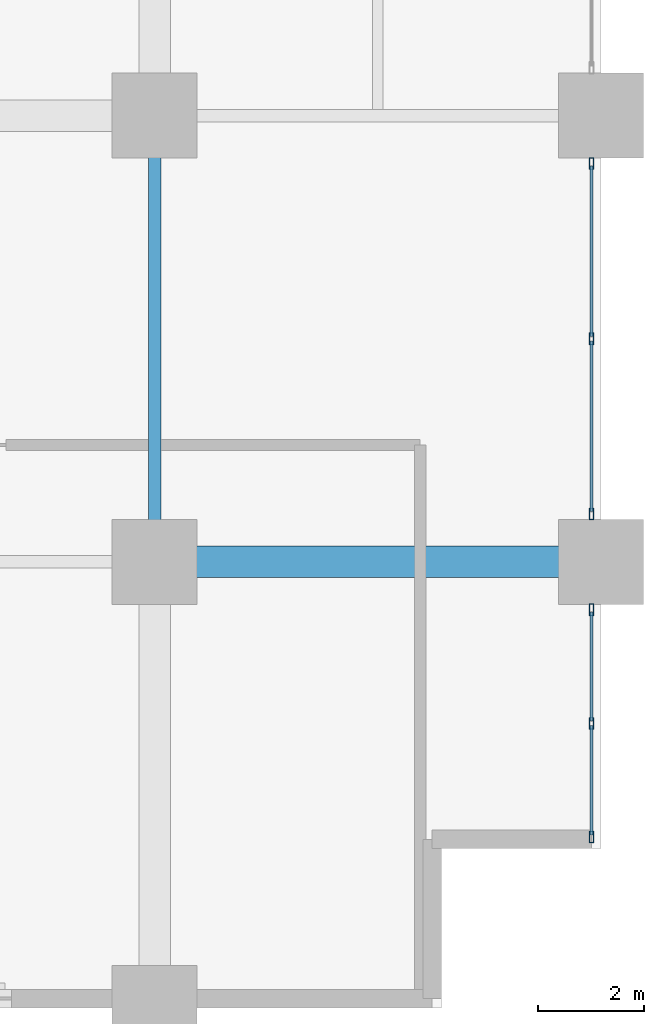
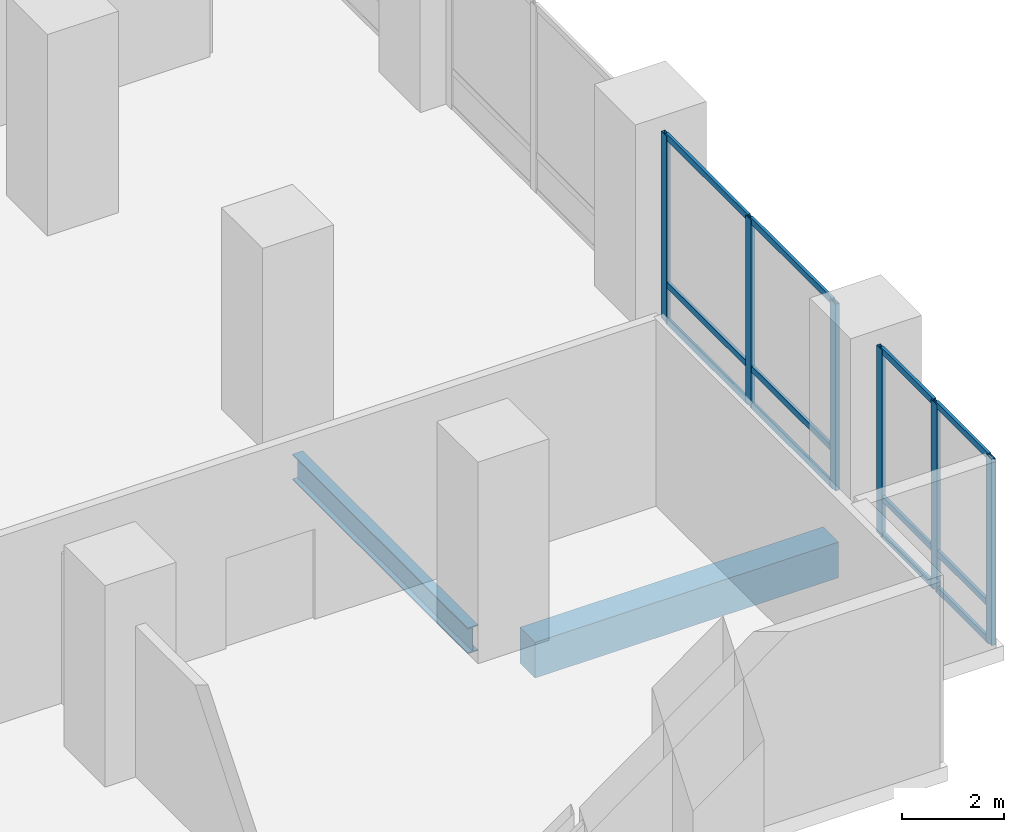
# One storey, part 3 of 22: 18 members, 2 beams, 2 elements without a shape of their own.
"""IFC4 building model written with IfcOpenShell, lengths in metres."""

from ifc_helpers import new_model, si_unit, direction, frame, origin, origin_2d, place, context, subcontext, project, spatial, rectangle, hollow_rectangle, i_section, extrude, material, layer, layer_set, material_profile, profile_set, type_object, element, aggregate, save


model = new_model("IFC4")

# Units and contexts
model_context = context("Model", 3, precision=1e-05, world=origin(), true_north=direction((0.0, 1.0)))
body_context = subcontext(model_context, "Body", "Model", "MODEL_VIEW")
ifc_project = project(units=[si_unit("LENGTHUNIT", "METRE"), si_unit("AREAUNIT", "SQUARE_METRE"), si_unit("VOLUMEUNIT", "CUBIC_METRE"), si_unit("PLANEANGLEUNIT", "RADIAN"), si_unit("MASSUNIT", "GRAM", prefix="KILO")], contexts=[model_context])

# Site, building, storey
site_placement = place(None, origin())
site = spatial("IfcSite", under=ifc_project, at=site_placement, CompositionType="ELEMENT")
building_placement = place(site_placement, origin())
building = spatial("IfcBuilding", under=site, at=building_placement, Name="Koriwani Terraces Tower", CompositionType="ELEMENT")
storey_placement = place(building_placement, frame((0.0, 0.0, 10.800048828125)))
storey = spatial("IfcBuildingStorey", under=building, at=storey_placement, Name="L02", CompositionType="ELEMENT", Elevation=10.800048828125)

# Beam
ifc_material_1 = material(Name="Concrete C60/75", Category="concrete")
ifc_material_profile_1 = material_profile(ifc_material_1, rectangle(XDim=0.60009765625, YDim=0.85009765625, at=origin_2d()), Name="Concrete C60/75", Category="LoadBearing")
ifc_profile_set_1 = profile_set([ifc_material_profile_1], Name="Concrete C60/75")
beam_type_1 = type_object("IfcBeamType", Name="BEAM_RC_GRID_600X850", PredefinedType="BEAM", material=ifc_profile_set_1)
beam_1_placement = place(storey_placement, frame((84.780029296875, 8.39990234375, -0.775146484375), z_axis=(1.0, 0.0, 0.0), x_axis=(0.0, 1.0, 0.0)))
element("IfcBeam", 1, at=beam_1_placement, inside=storey, type_object=beam_type_1, Name="L02 Grid Beam B (84.0-92.4m)", PredefinedType="BEAM", context=body_context, shape_type="SweptSolid", body=[
    extrude(rectangle(XDim=0.60009765625, YDim=0.85009765625, at=origin_2d()), origin(), (0.0, 0.0, 1.0), 6.840087890625),
])

# Curtain wall, members
ifc_material_2 = material(Name="Anodised Bronze Aluminium", Category="aluminium")
ifc_layer = layer(ifc_material_2, 0.199951171875, Name="Anodised Bronze Aluminium")
ifc_layer_set = layer_set([ifc_layer], Name="Anodised Bronze Aluminium")
curtain_wall_type = type_object("IfcCurtainWallType", Name="CW_PODIUM_GALLERIA", PredefinedType="NOTDEFINED", material=ifc_layer_set)
curtain_wall_1_placement = place(storey_placement, origin())
curtain_wall_1 = element("IfcCurtainWall", 2, at=curtain_wall_1_placement, inside=storey, type_object=curtain_wall_type, Name="L02 Unitised Curtain Wall (E_TIP) Bay 4", PredefinedType="NOTDEFINED")
ifc_material_profile_2 = material_profile(ifc_material_2, hollow_rectangle(XDim=0.0849609375, YDim=0.219970703125, WallThickness=0.008056640625, at=origin_2d()), Name="Anodised Bronze Aluminium", Category="LoadBearing")
ifc_profile_set_2 = profile_set([ifc_material_profile_2], Name="Anodised Bronze Aluminium")
member_type_1 = type_object("IfcMemberType", Name="CW_MULLION_220X85", PredefinedType="MULLION", material=ifc_profile_set_2)
member_1_placement = place(storey_placement, frame((92.22509765625, 15.8974609375, 0.0), z_axis=(0.0, 0.0, 1.0), x_axis=(1.0, 0.0, 0.0)))
member_1 = element("IfcMember", 3, at=member_1_placement, type_object=member_type_1, Name="CW-POD mullion 1", PredefinedType="MULLION", context=body_context, shape_type="SweptSolid", body=[
    extrude(hollow_rectangle(XDim=0.0849609375, YDim=0.219970703125, WallThickness=0.008056640625, at=origin_2d()), origin(), (0.0, 0.0, 1.0), 4.449951171875),
])
member_2_placement = place(storey_placement, frame((92.22509765625, 12.60009765625, 0.0), z_axis=(0.0, 0.0, 1.0), x_axis=(1.0, 0.0, 0.0)))
member_2 = element("IfcMember", 4, at=member_2_placement, type_object=member_type_1, Name="CW-POD mullion 2", PredefinedType="MULLION", context=body_context, shape_type="SweptSolid", body=[
    extrude(hollow_rectangle(XDim=0.0849609375, YDim=0.219970703125, WallThickness=0.008056640625, at=origin_2d()), origin(), (0.0, 0.0, 1.0), 4.449951171875),
])
member_3_placement = place(storey_placement, frame((92.22509765625, 9.302490234375, 0.0), z_axis=(0.0, 0.0, 1.0), x_axis=(1.0, 0.0, 0.0)))
member_3 = element("IfcMember", 5, at=member_3_placement, type_object=member_type_1, Name="CW-POD mullion 3", PredefinedType="MULLION", context=body_context, shape_type="SweptSolid", body=[
    extrude(hollow_rectangle(XDim=0.0849609375, YDim=0.219970703125, WallThickness=0.008056640625, at=origin_2d()), origin(), (0.0, 0.0, 1.0), 4.449951171875),
])

curtain_wall_2_placement = place(storey_placement, origin())
curtain_wall_2 = element("IfcCurtainWall", 6, at=curtain_wall_2_placement, inside=storey, type_object=curtain_wall_type, Name="L02 Unitised Curtain Wall (E_TIP) Bay 5", PredefinedType="NOTDEFINED")
member_4_placement = place(storey_placement, frame((92.22509765625, 7.49755859375, 0.0), z_axis=(0.0, 0.0, 1.0), x_axis=(1.0, 0.0, 0.0)))
member_4 = element("IfcMember", 7, at=member_4_placement, type_object=member_type_1, Name="CW-POD mullion 1", PredefinedType="MULLION", context=body_context, shape_type="SweptSolid", body=[
    extrude(hollow_rectangle(XDim=0.0849609375, YDim=0.219970703125, WallThickness=0.008056640625, at=origin_2d()), origin(), (0.0, 0.0, 1.0), 4.449951171875),
])
member_5_placement = place(storey_placement, frame((92.22509765625, 5.357421875, 0.0), z_axis=(0.0, 0.0, 1.0), x_axis=(1.0, 0.0, 0.0)))
member_5 = element("IfcMember", 8, at=member_5_placement, type_object=member_type_1, Name="CW-POD mullion 2", PredefinedType="MULLION", context=body_context, shape_type="SweptSolid", body=[
    extrude(hollow_rectangle(XDim=0.0849609375, YDim=0.219970703125, WallThickness=0.008056640625, at=origin_2d()), origin(), (0.0, 0.0, 1.0), 4.449951171875),
])
member_6_placement = place(storey_placement, frame((92.22509765625, 3.217529296875, 0.0), z_axis=(0.0, 0.0, 1.0), x_axis=(1.0, 0.0, 0.0)))
member_6 = element("IfcMember", 9, at=member_6_placement, type_object=member_type_1, Name="CW-POD mullion 3", PredefinedType="MULLION", context=body_context, shape_type="SweptSolid", body=[
    extrude(hollow_rectangle(XDim=0.0849609375, YDim=0.219970703125, WallThickness=0.008056640625, at=origin_2d()), origin(), (0.0, 0.0, 1.0), 4.449951171875),
])

# Member
ifc_material_profile_3 = material_profile(ifc_material_2, hollow_rectangle(XDim=0.06494140625, YDim=0.14990234375, WallThickness=0.0048828125, at=origin_2d()), Name="Anodised Bronze Aluminium", Category="LoadBearing")
ifc_profile_set_3 = profile_set([ifc_material_profile_3], Name="Anodised Bronze Aluminium")
member_type_2 = type_object("IfcMemberType", Name="CW_TRANSOM_150X65", PredefinedType="USERDEFINED", material=ifc_profile_set_3)
member_7_placement = place(storey_placement, frame((92.22509765625, 15.85498046875, 0.032470703125), z_axis=(0.0, -1.0, 0.0), x_axis=(1.0, 0.0, 0.0)))
member_7 = element("IfcMember", 10, at=member_7_placement, type_object=member_type_2, Name="CW-POD transom 1.1", ObjectType="TRANSOM", PredefinedType="USERDEFINED", context=body_context, shape_type="SweptSolid", body=[
    extrude(hollow_rectangle(XDim=0.06494140625, YDim=0.14990234375, WallThickness=0.0048828125, at=origin_2d()), origin(), (0.0, 0.0, 1.0), 3.21240234375),
])

member_8_placement = place(storey_placement, frame((92.22509765625, 15.85498046875, 0.89990234375), z_axis=(0.0, -1.0, 0.0), x_axis=(1.0, 0.0, 0.0)))
member_8 = element("IfcMember", 11, at=member_8_placement, type_object=member_type_2, Name="CW-POD transom 1.2", ObjectType="TRANSOM", PredefinedType="USERDEFINED", context=body_context, shape_type="SweptSolid", body=[
    extrude(hollow_rectangle(XDim=0.06494140625, YDim=0.14990234375, WallThickness=0.0048828125, at=origin_2d()), origin(), (0.0, 0.0, 1.0), 3.21240234375),
])

member_9_placement = place(storey_placement, frame((92.22509765625, 15.85498046875, 4.41748046875), z_axis=(0.0, -1.0, 0.0), x_axis=(1.0, 0.0, 0.0)))
member_9 = element("IfcMember", 12, at=member_9_placement, type_object=member_type_2, Name="CW-POD transom 1.3", ObjectType="TRANSOM", PredefinedType="USERDEFINED", context=body_context, shape_type="SweptSolid", body=[
    extrude(hollow_rectangle(XDim=0.06494140625, YDim=0.14990234375, WallThickness=0.0048828125, at=origin_2d()), origin(), (0.0, 0.0, 1.0), 3.21240234375),
])

member_10_placement = place(storey_placement, frame((92.22509765625, 12.5576171875, 0.032470703125), z_axis=(0.0, -1.0, 0.0), x_axis=(1.0, 0.0, 0.0)))
member_10 = element("IfcMember", 13, at=member_10_placement, type_object=member_type_2, Name="CW-POD transom 2.1", ObjectType="TRANSOM", PredefinedType="USERDEFINED", context=body_context, shape_type="SweptSolid", body=[
    extrude(hollow_rectangle(XDim=0.06494140625, YDim=0.14990234375, WallThickness=0.0048828125, at=origin_2d()), origin(), (0.0, 0.0, 1.0), 3.212646484375),
])

member_11_placement = place(storey_placement, frame((92.22509765625, 12.5576171875, 0.89990234375), z_axis=(0.0, -1.0, 0.0), x_axis=(1.0, 0.0, 0.0)))
member_11 = element("IfcMember", 14, at=member_11_placement, type_object=member_type_2, Name="CW-POD transom 2.2", ObjectType="TRANSOM", PredefinedType="USERDEFINED", context=body_context, shape_type="SweptSolid", body=[
    extrude(hollow_rectangle(XDim=0.06494140625, YDim=0.14990234375, WallThickness=0.0048828125, at=origin_2d()), origin(), (0.0, 0.0, 1.0), 3.212646484375),
])

member_12_placement = place(storey_placement, frame((92.22509765625, 12.5576171875, 4.41748046875), z_axis=(0.0, -1.0, 0.0), x_axis=(1.0, 0.0, 0.0)))
member_12 = element("IfcMember", 15, at=member_12_placement, type_object=member_type_2, Name="CW-POD transom 2.3", ObjectType="TRANSOM", PredefinedType="USERDEFINED", context=body_context, shape_type="SweptSolid", body=[
    extrude(hollow_rectangle(XDim=0.06494140625, YDim=0.14990234375, WallThickness=0.0048828125, at=origin_2d()), origin(), (0.0, 0.0, 1.0), 3.212646484375),
])

aggregate(curtain_wall_1, [member_1, member_2, member_3, member_7, member_8, member_9, member_10, member_11, member_12])

member_13_placement = place(storey_placement, frame((92.22509765625, 7.455078125, 0.032470703125), z_axis=(0.0, -1.0, 0.0), x_axis=(1.0, 0.0, 0.0)))
member_13 = element("IfcMember", 16, at=member_13_placement, type_object=member_type_2, Name="CW-POD transom 1.1", ObjectType="TRANSOM", PredefinedType="USERDEFINED", context=body_context, shape_type="SweptSolid", body=[
    extrude(hollow_rectangle(XDim=0.06494140625, YDim=0.14990234375, WallThickness=0.0048828125, at=origin_2d()), origin(), (0.0, 0.0, 1.0), 2.05517578125),
])

member_14_placement = place(storey_placement, frame((92.22509765625, 7.455078125, 0.89990234375), z_axis=(0.0, -1.0, 0.0), x_axis=(1.0, 0.0, 0.0)))
member_14 = element("IfcMember", 17, at=member_14_placement, type_object=member_type_2, Name="CW-POD transom 1.2", ObjectType="TRANSOM", PredefinedType="USERDEFINED", context=body_context, shape_type="SweptSolid", body=[
    extrude(hollow_rectangle(XDim=0.06494140625, YDim=0.14990234375, WallThickness=0.0048828125, at=origin_2d()), origin(), (0.0, 0.0, 1.0), 2.05517578125),
])

member_15_placement = place(storey_placement, frame((92.22509765625, 7.455078125, 4.41748046875), z_axis=(0.0, -1.0, 0.0), x_axis=(1.0, 0.0, 0.0)))
member_15 = element("IfcMember", 18, at=member_15_placement, type_object=member_type_2, Name="CW-POD transom 1.3", ObjectType="TRANSOM", PredefinedType="USERDEFINED", context=body_context, shape_type="SweptSolid", body=[
    extrude(hollow_rectangle(XDim=0.06494140625, YDim=0.14990234375, WallThickness=0.0048828125, at=origin_2d()), origin(), (0.0, 0.0, 1.0), 2.05517578125),
])

member_16_placement = place(storey_placement, frame((92.22509765625, 5.31494140625, 0.032470703125), z_axis=(0.0, -1.0, 0.0), x_axis=(1.0, 0.0, 0.0)))
member_16 = element("IfcMember", 19, at=member_16_placement, type_object=member_type_2, Name="CW-POD transom 2.1", ObjectType="TRANSOM", PredefinedType="USERDEFINED", context=body_context, shape_type="SweptSolid", body=[
    extrude(hollow_rectangle(XDim=0.06494140625, YDim=0.14990234375, WallThickness=0.0048828125, at=origin_2d()), origin(), (0.0, 0.0, 1.0), 2.054931640625),
])

member_17_placement = place(storey_placement, frame((92.22509765625, 5.31494140625, 0.89990234375), z_axis=(0.0, -1.0, 0.0), x_axis=(1.0, 0.0, 0.0)))
member_17 = element("IfcMember", 20, at=member_17_placement, type_object=member_type_2, Name="CW-POD transom 2.2", ObjectType="TRANSOM", PredefinedType="USERDEFINED", context=body_context, shape_type="SweptSolid", body=[
    extrude(hollow_rectangle(XDim=0.06494140625, YDim=0.14990234375, WallThickness=0.0048828125, at=origin_2d()), origin(), (0.0, 0.0, 1.0), 2.054931640625),
])

member_18_placement = place(storey_placement, frame((92.22509765625, 5.31494140625, 4.41748046875), z_axis=(0.0, -1.0, 0.0), x_axis=(1.0, 0.0, 0.0)))
member_18 = element("IfcMember", 21, at=member_18_placement, type_object=member_type_2, Name="CW-POD transom 2.3", ObjectType="TRANSOM", PredefinedType="USERDEFINED", context=body_context, shape_type="SweptSolid", body=[
    extrude(hollow_rectangle(XDim=0.06494140625, YDim=0.14990234375, WallThickness=0.0048828125, at=origin_2d()), origin(), (0.0, 0.0, 1.0), 2.054931640625),
])

aggregate(curtain_wall_2, [member_4, member_5, member_6, member_13, member_14, member_15, member_16, member_17, member_18])

# Beam
ifc_material_3 = material(Name="Steel ASTM A572 Grade 50", Category="steel")
ifc_material_profile_4 = material_profile(ifc_material_3, i_section(OverallWidth=0.23095703125, OverallDepth=0.616943359375, WebThickness=0.015380859375, FlangeThickness=0.0244140625, at=origin_2d()), Name="Steel ASTM A572 Grade 50", Category="LoadBearing")
ifc_profile_set_4 = profile_set([ifc_material_profile_4], Name="Steel ASTM A572 Grade 50")
beam_type_2 = type_object("IfcBeamType", Name="STEEL_BEAM_W610X195", PredefinedType="BEAM", material=ifc_profile_set_4)
beam_2_placement = place(storey_placement, frame((84.0, 9.179931640625, -0.658447265625), z_axis=(0.0, 1.0, 0.0), x_axis=(-1.0, 0.0, 0.0)))
element("IfcBeam", 22, at=beam_2_placement, inside=storey, type_object=beam_type_2, Name="L02 Grid Beam 11 (8.4-16.8m)", PredefinedType="BEAM", context=body_context, shape_type="SweptSolid", body=[
    extrude(i_section(OverallWidth=0.23095703125, OverallDepth=0.616943359375, WebThickness=0.015380859375, FlangeThickness=0.0244140625, at=origin_2d()), origin(), (0.0, 0.0, 1.0), 6.840087890625),
])

save(model, "model.ifc")
